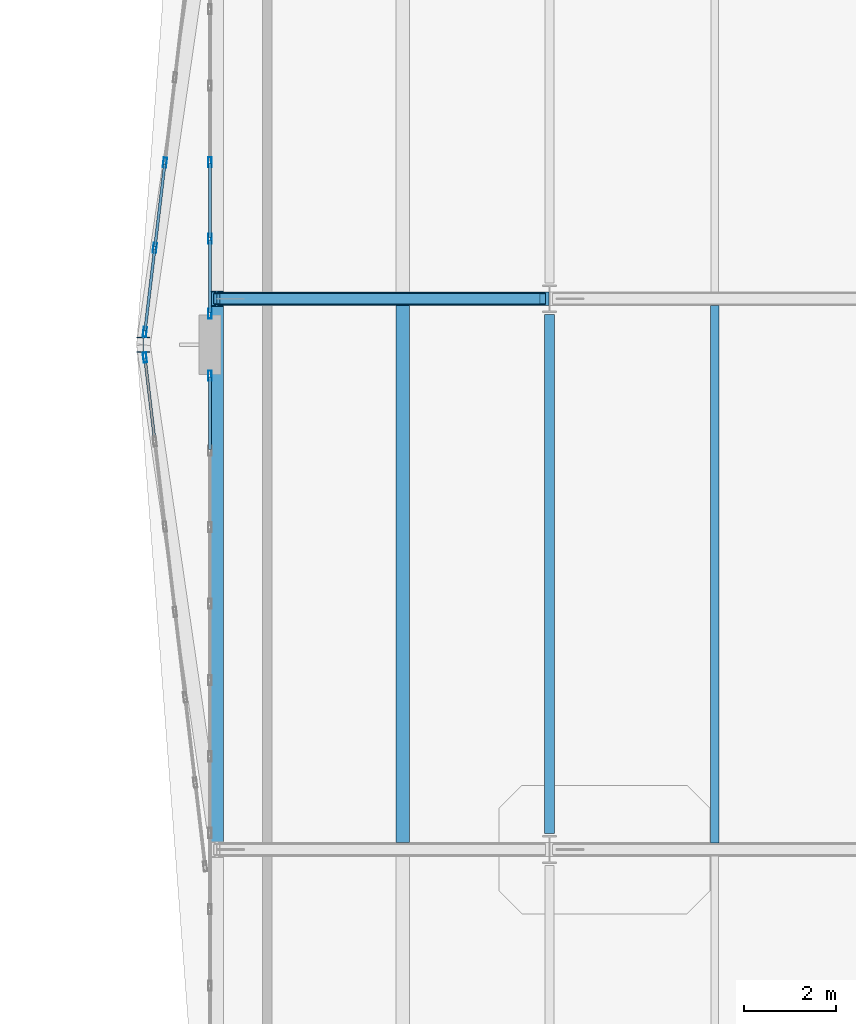
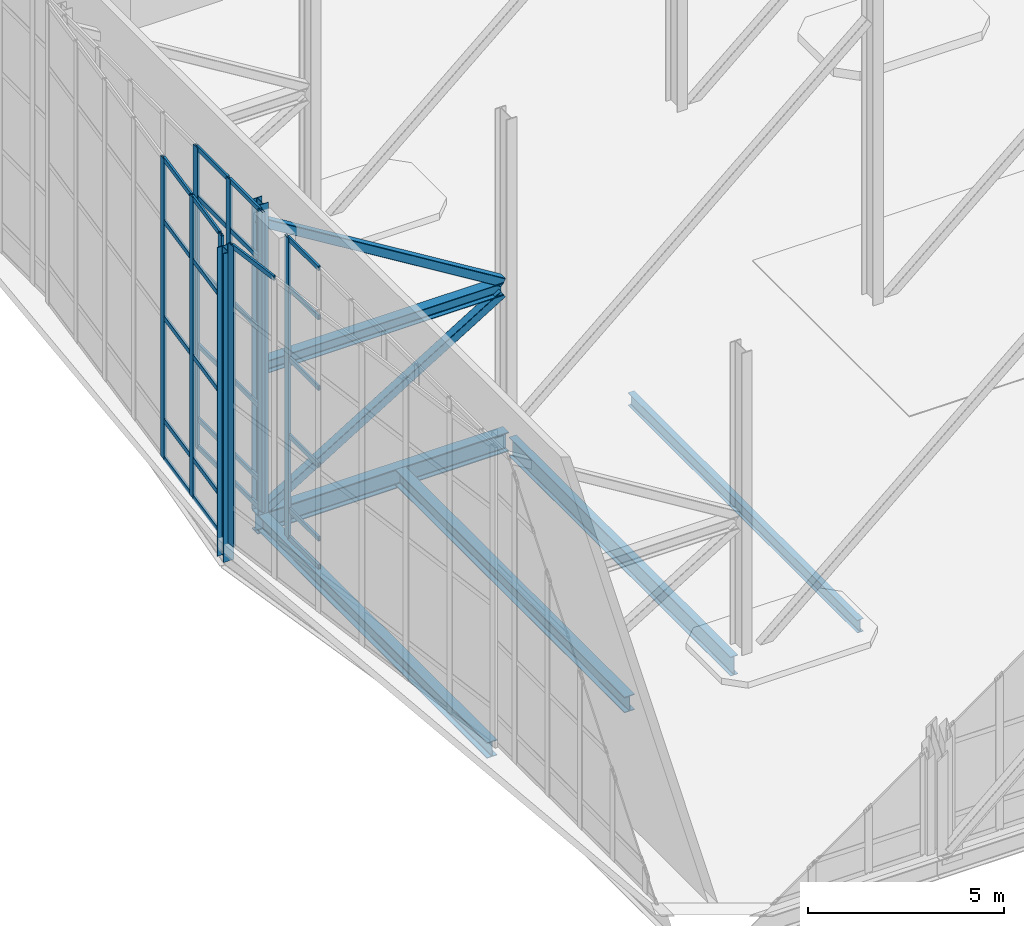
# One storey, part 22 of 100: 41 members, 6 beams, 4 elements without a shape of their own.
"""IFC4 building model written with IfcOpenShell, lengths in metres."""

from ifc_helpers import new_model, si_unit, direction, frame, origin, origin_2d, place, context, subcontext, project, spatial, hollow_rectangle, i_section, extrude, material, layer, layer_set, material_profile, profile_set, type_object, element, aggregate, save


model = new_model("IFC4")

# Units and contexts
model_context = context("Model", 3, precision=1e-05, world=origin(), true_north=direction((0.0, 1.0)))
body_context = subcontext(model_context, "Body", "Model", "MODEL_VIEW")
ifc_project = project(units=[si_unit("LENGTHUNIT", "METRE"), si_unit("AREAUNIT", "SQUARE_METRE"), si_unit("VOLUMEUNIT", "CUBIC_METRE"), si_unit("PLANEANGLEUNIT", "RADIAN"), si_unit("MASSUNIT", "GRAM", prefix="KILO")], contexts=[model_context])

# Site, building, storey
site_placement = place(None, origin())
site = spatial("IfcSite", under=ifc_project, at=site_placement, CompositionType="ELEMENT")
building_placement = place(site_placement, origin())
building = spatial("IfcBuilding", under=site, at=building_placement, Name="Tasgan Crest Museum", CompositionType="ELEMENT")
storey_placement = place(building_placement, frame((0.0, 0.0, 14.39990234375)))
storey = spatial("IfcBuildingStorey", under=building, at=storey_placement, Name="L03", CompositionType="ELEMENT", Elevation=14.39990234375)

# Beams
ifc_material_1 = material(Name="Steel S355K2", Category="steel")
ifc_material_profile_1 = material_profile(ifc_material_1, i_section(OverallWidth=0.300048828125, OverallDepth=0.60009765625, WebThickness=0.015380859375, FlangeThickness=0.030029296875, FilletRadius=0.027099609375, at=origin_2d()), Name="HEB 600")
ifc_profile_set_1 = profile_set([ifc_material_profile_1], Name="Steel S355K2")
beam_type_1 = type_object("IfcBeamType", Name="BM-CANT-G1", PredefinedType="BEAM", material=ifc_profile_set_1)
beam_1_placement = place(storey_placement, frame((3.39990234375, 62.0, -0.559814453125), z_axis=(1.0, 0.0, 0.0), x_axis=(0.0, 1.0, 0.0)))
element("IfcBeam", 1, at=beam_1_placement, inside=storey, type_object=beam_type_1, Name="Cantilever transfer girder MID G", PredefinedType="BEAM", context=body_context, shape_type="SweptSolid", body=[
    extrude(i_section(OverallWidth=0.300048828125, OverallDepth=0.60009765625, WebThickness=0.015380859375, FlangeThickness=0.030029296875, FilletRadius=0.027099609375, at=origin_2d()), origin(), (0.0, 0.0, 1.0), 7.3935546875),
])
ifc_material_2 = material(Name="Steel S355J2", Category="steel")
ifc_material_profile_2 = material_profile(ifc_material_2, i_section(OverallWidth=0.300048828125, OverallDepth=0.389892578125, WebThickness=0.010986328125, FlangeThickness=0.01904296875, FilletRadius=0.027099609375, at=origin_2d()), Name="HEA 400")
ifc_profile_set_2 = profile_set([ifc_material_profile_2], Name="Steel S355J2")
beam_type_2 = type_object("IfcBeamType", Name="BM-G-HEA400", PredefinedType="BEAM", material=ifc_profile_set_2)
beam_2_placement = place(storey_placement, frame((3.550048828125, 62.0, 4.25), z_axis=(1.0, 0.0, 0.0), x_axis=(0.0, 1.0, 0.0)))
element("IfcBeam", 2, at=beam_2_placement, inside=storey, type_object=beam_type_2, Name="Cantilever mid-height chord G", PredefinedType="BEAM", context=body_context, shape_type="SweptSolid", body=[
    extrude(i_section(OverallWidth=0.300048828125, OverallDepth=0.389892578125, WebThickness=0.010986328125, FlangeThickness=0.01904296875, FilletRadius=0.027099609375, at=origin_2d()), origin(), (0.0, 0.0, 1.0), 7.099853515625),
])
ifc_material_3 = material(Name="Steel S355J2", Category="steel")
ifc_material_profile_3 = material_profile(ifc_material_3, i_section(OverallWidth=0.300048828125, OverallDepth=0.489990234375, WebThickness=0.011962890625, FlangeThickness=0.02294921875, FilletRadius=0.027099609375, at=origin_2d()), Name="HEA 500")
ifc_profile_set_3 = profile_set([ifc_material_profile_3], Name="Steel S355J2")
beam_type_3 = type_object("IfcBeamType", Name="BM-G-HEA500", PredefinedType="BEAM", material=ifc_profile_set_3)
for number, where, z_axis, x_axis, name in (
    (3, (3.550048828125, 50.14990234375, -0.5048828125), (0.0, 1.0, 0.0), (-1.0, 0.0, 0.0), "Cantilever edge beam L03 TIP 50-62"),
    (4, (7.60009765625, 50.14990234375, -0.5048828125), (0.0, 1.0, 0.0), (-1.0, 0.0, 0.0), "Cantilever edge beam L03 MID 50-62"),
):
    element("IfcBeam", number, at=place(storey_placement, frame(where, z_axis=z_axis, x_axis=x_axis)), inside=storey, type_object=beam_type_3, Name=name, PredefinedType="BEAM", context=body_context, shape_type="SweptSolid", body=[
        extrude(i_section(OverallWidth=0.300048828125, OverallDepth=0.489990234375, WebThickness=0.011962890625, FlangeThickness=0.02294921875, FilletRadius=0.027099609375, at=origin_2d()), origin(), (0.0, 0.0, 1.0), 11.7001953125),
    ])
ifc_material_4 = material(Name="Steel S355J2", Category="steel")
ifc_material_profile_4 = material_profile(ifc_material_4, i_section(OverallWidth=0.219970703125, OverallDepth=0.60009765625, WebThickness=0.011962890625, FlangeThickness=0.01904296875, FilletRadius=0.02392578125, at=origin_2d()), Name="IPE 600")
ifc_profile_set_4 = profile_set([ifc_material_profile_4], Name="Steel S355J2")
beam_type_4 = type_object("IfcBeamType", Name="BM-G-IPE600", PredefinedType="BEAM", material=ifc_profile_set_4)
beam_3_placement = place(storey_placement, frame((10.800048828125, 50.344970703125, -0.559814453125), z_axis=(0.0, 1.0, 0.0), x_axis=(-1.0, 0.0, 0.0)))
element("IfcBeam", 5, at=beam_3_placement, inside=storey, type_object=beam_type_4, Name="Beam L03 2 50.0-62.0", PredefinedType="BEAM", context=body_context, shape_type="SweptSolid", body=[
    extrude(i_section(OverallWidth=0.219970703125, OverallDepth=0.60009765625, WebThickness=0.011962890625, FlangeThickness=0.01904296875, FilletRadius=0.02392578125, at=origin_2d()), origin(), (0.0, 0.0, 1.0), 11.31005859375),
])
ifc_material_5 = material(Name="Steel S355J2", Category="steel")
ifc_material_profile_5 = material_profile(ifc_material_5, i_section(OverallWidth=0.179931640625, OverallDepth=0.39990234375, WebThickness=0.008544921875, FlangeThickness=0.013427734375, FilletRadius=0.02099609375, at=origin_2d()), Name="IPE 400")
ifc_profile_set_5 = profile_set([ifc_material_profile_5], Name="Steel S355J2")
beam_type_5 = type_object("IfcBeamType", Name="BM-J-IPE400", PredefinedType="JOIST", material=ifc_profile_set_5)
beam_4_placement = place(storey_placement, frame((14.39990234375, 50.14501953125, -0.4599609375), z_axis=(0.0, 1.0, 0.0), x_axis=(-1.0, 0.0, 0.0)))
element("IfcBeam", 6, at=beam_4_placement, inside=storey, type_object=beam_type_5, Name="Secondary joist L03 X=14.4 Y=50.0-62.0", PredefinedType="JOIST", context=body_context, shape_type="SweptSolid", body=[
    extrude(i_section(OverallWidth=0.179931640625, OverallDepth=0.39990234375, WebThickness=0.008544921875, FlangeThickness=0.013427734375, FilletRadius=0.02099609375, at=origin_2d()), origin(), (0.0, 0.0, 1.0), 11.7099609375),
])

# Curtain wall, members
ifc_material_6 = material(Name="Triple-Glazed Aluminium Curtain Wall", Category="aluminium")
ifc_layer = layer(ifc_material_6, 0.179931640625, Name="CW-CANT-TIP-96")
ifc_layer_set = layer_set([ifc_layer], Name="Triple-Glazed Aluminium Curtain Wall")
curtain_wall_type = type_object("IfcCurtainWallType", Name="CW-CANT-TIP-96", PredefinedType="NOTDEFINED", material=ifc_layer_set)
curtain_wall_1_placement = place(storey_placement, origin())
curtain_wall_1 = element("IfcCurtainWall", 7, at=curtain_wall_1_placement, inside=storey, type_object=curtain_wall_type, Name="Curtain wall L03 138", PredefinedType="NOTDEFINED")
ifc_material_7 = material(Name="Anodised Aluminium", Category="aluminium")
ifc_material_profile_6 = material_profile(ifc_material_7, hollow_rectangle(XDim=0.074951171875, YDim=0.219970703125, WallThickness=0.006103515625, at=origin_2d()), Name="ALU MULLION 220x75x6")
ifc_profile_set_6 = profile_set([ifc_material_profile_6], Name="Anodised Aluminium")
member_type_1 = type_object("IfcMemberType", Name="CW-MULLION-220", PredefinedType="MULLION", material=ifc_profile_set_6)
member_1_placement = place(storey_placement, frame((3.39990234375, 64.9765625, 0.0), z_axis=(0.0, 0.0, 1.0), x_axis=(1.0, 0.0, 0.0)))
member_1 = element("IfcMember", 8, at=member_1_placement, type_object=member_type_1, Name="CW10 mullion 11", PredefinedType="MULLION", context=body_context, shape_type="SweptSolid", body=[
    extrude(hollow_rectangle(XDim=0.074951171875, YDim=0.219970703125, WallThickness=0.006103515625, at=origin_2d()), origin(), (0.0, 0.0, 1.0), 9.360107421875),
])
member_2_placement = place(storey_placement, frame((3.39990234375, 63.310791015625, 0.0), z_axis=(0.0, 0.0, 1.0), x_axis=(1.0, 0.0, 0.0)))
member_2 = element("IfcMember", 9, at=member_2_placement, type_object=member_type_1, Name="CW10 mullion 12", PredefinedType="MULLION", context=body_context, shape_type="SweptSolid", body=[
    extrude(hollow_rectangle(XDim=0.074951171875, YDim=0.219970703125, WallThickness=0.006103515625, at=origin_2d()), origin(), (0.0, 0.0, 1.0), 9.360107421875),
])
member_3_placement = place(storey_placement, frame((3.39990234375, 61.675048828125, 0.0), z_axis=(0.0, 0.0, 1.0), x_axis=(1.0, 0.0, 0.0)))
member_3 = element("IfcMember", 10, at=member_3_placement, type_object=member_type_1, Name="CW10 mullion 13", PredefinedType="MULLION", context=body_context, shape_type="SweptSolid", body=[
    extrude(hollow_rectangle(XDim=0.074951171875, YDim=0.219970703125, WallThickness=0.006103515625, at=origin_2d()), origin(), (0.0, 0.0, 1.0), 9.360107421875),
])

# Curtain wall, member
curtain_wall_2_placement = place(storey_placement, origin())
curtain_wall_2 = element("IfcCurtainWall", 11, at=curtain_wall_2_placement, inside=storey, type_object=curtain_wall_type, Name="Curtain wall L03 139", PredefinedType="NOTDEFINED")
member_4_placement = place(storey_placement, frame((3.39990234375, 60.324951171875, 0.0), z_axis=(0.0, 0.0, 1.0), x_axis=(1.0, 0.0, 0.0)))
member_4 = element("IfcMember", 12, at=member_4_placement, type_object=member_type_1, Name="CW10 mullion 1", PredefinedType="MULLION", context=body_context, shape_type="SweptSolid", body=[
    extrude(hollow_rectangle(XDim=0.074951171875, YDim=0.219970703125, WallThickness=0.006103515625, at=origin_2d()), origin(), (0.0, 0.0, 1.0), 9.360107421875),
])

curtain_wall_3_placement = place(storey_placement, origin())
curtain_wall_3 = element("IfcCurtainWall", 13, at=curtain_wall_3_placement, inside=storey, type_object=curtain_wall_type, Name="Cantilevered prow curtain wall L03 PROW-S", PredefinedType="NOTDEFINED")
member_5_placement = place(storey_placement, frame((1.983642578125, 60.72021484375, 0.0), z_axis=(0.0, 0.0, 1.0), x_axis=(-0.993065228329, -0.117564672774, 0.0)))
member_5 = element("IfcMember", 14, at=member_5_placement, type_object=member_type_1, Name="CW10 mullion 7", PredefinedType="MULLION", context=body_context, shape_type="SweptSolid", body=[
    extrude(hollow_rectangle(XDim=0.074951171875, YDim=0.219970703125, WallThickness=0.006103515625, at=origin_2d()), origin(), (0.0, 0.0, 1.0), 9.360107421875),
])

# Curtain wall, members
curtain_wall_4_placement = place(storey_placement, origin())
curtain_wall_4 = element("IfcCurtainWall", 15, at=curtain_wall_4_placement, inside=storey, type_object=curtain_wall_type, Name="Cantilevered prow curtain wall L03 PROW-N", PredefinedType="NOTDEFINED")
member_6_placement = place(storey_placement, frame((1.983642578125, 61.27978515625, 0.0), z_axis=(0.0, 0.0, 1.0), x_axis=(-0.993065228329, 0.117564672774, 0.0)))
member_6 = element("IfcMember", 16, at=member_6_placement, type_object=member_type_1, Name="CW10 mullion 1", PredefinedType="MULLION", context=body_context, shape_type="SweptSolid", body=[
    extrude(hollow_rectangle(XDim=0.074951171875, YDim=0.219970703125, WallThickness=0.006103515625, at=origin_2d()), origin(), (0.0, 0.0, 1.0), 9.360107421875),
])
member_7_placement = place(storey_placement, frame((2.199951171875, 63.1083984375, 0.0), z_axis=(0.0, 0.0, 1.0), x_axis=(-0.993065228329, 0.117564672774, 0.0)))
member_7 = element("IfcMember", 17, at=member_7_placement, type_object=member_type_1, Name="CW10 mullion 2", PredefinedType="MULLION", context=body_context, shape_type="SweptSolid", body=[
    extrude(hollow_rectangle(XDim=0.074951171875, YDim=0.219970703125, WallThickness=0.006103515625, at=origin_2d()), origin(), (0.0, 0.0, 1.0), 9.360107421875),
])
member_8_placement = place(storey_placement, frame((2.419921875, 64.966552734375, 0.0), z_axis=(0.0, 0.0, 1.0), x_axis=(-0.993065228329, 0.117564672774, 0.0)))
member_8 = element("IfcMember", 18, at=member_8_placement, type_object=member_type_1, Name="CW10 mullion 3", PredefinedType="MULLION", context=body_context, shape_type="SweptSolid", body=[
    extrude(hollow_rectangle(XDim=0.074951171875, YDim=0.219970703125, WallThickness=0.006103515625, at=origin_2d()), origin(), (0.0, 0.0, 1.0), 9.360107421875),
])

# Member
ifc_material_8 = material(Name="Anodised Aluminium", Category="aluminium")
ifc_material_profile_7 = material_profile(ifc_material_8, hollow_rectangle(XDim=0.06005859375, YDim=0.14990234375, WallThickness=0.0048828125, at=origin_2d()), Name="ALU TRANSOM 150x60x5")
ifc_profile_set_7 = profile_set([ifc_material_profile_7], Name="Anodised Aluminium")
member_type_2 = type_object("IfcMemberType", Name="CW-TRANSOM-150", PredefinedType="USERDEFINED", material=ifc_profile_set_7)
member_9_placement = place(storey_placement, frame((3.39990234375, 64.94677734375, 0.030029296875), z_axis=(0.0, -1.0, 0.0), x_axis=(1.0, 0.0, 0.0)))
member_9 = element("IfcMember", 19, at=member_9_placement, type_object=member_type_2, Name="CW10 transom 11.1", ObjectType="TRANSOM", PredefinedType="USERDEFINED", context=body_context, shape_type="SweptSolid", body=[
    extrude(hollow_rectangle(XDim=0.06005859375, YDim=0.14990234375, WallThickness=0.0048828125, at=origin_2d()), origin(), (0.0, 0.0, 1.0), 1.60595703125),
])

member_10_placement = place(storey_placement, frame((3.39990234375, 64.94677734375, 0.900146484375), z_axis=(0.0, -1.0, 0.0), x_axis=(1.0, 0.0, 0.0)))
member_10 = element("IfcMember", 20, at=member_10_placement, type_object=member_type_2, Name="CW10 transom 11.2", ObjectType="TRANSOM", PredefinedType="USERDEFINED", context=body_context, shape_type="SweptSolid", body=[
    extrude(hollow_rectangle(XDim=0.06005859375, YDim=0.14990234375, WallThickness=0.0048828125, at=origin_2d()), origin(), (0.0, 0.0, 1.0), 1.60595703125),
])

member_11_placement = place(storey_placement, frame((3.39990234375, 64.94677734375, 3.2001953125), z_axis=(0.0, -1.0, 0.0), x_axis=(1.0, 0.0, 0.0)))
member_11 = element("IfcMember", 21, at=member_11_placement, type_object=member_type_2, Name="CW10 transom 11.3", ObjectType="TRANSOM", PredefinedType="USERDEFINED", context=body_context, shape_type="SweptSolid", body=[
    extrude(hollow_rectangle(XDim=0.06005859375, YDim=0.14990234375, WallThickness=0.0048828125, at=origin_2d()), origin(), (0.0, 0.0, 1.0), 1.60595703125),
])

member_12_placement = place(storey_placement, frame((3.39990234375, 64.94677734375, 5.60009765625), z_axis=(0.0, -1.0, 0.0), x_axis=(1.0, 0.0, 0.0)))
member_12 = element("IfcMember", 22, at=member_12_placement, type_object=member_type_2, Name="CW10 transom 11.4", ObjectType="TRANSOM", PredefinedType="USERDEFINED", context=body_context, shape_type="SweptSolid", body=[
    extrude(hollow_rectangle(XDim=0.06005859375, YDim=0.14990234375, WallThickness=0.0048828125, at=origin_2d()), origin(), (0.0, 0.0, 1.0), 1.60595703125),
])

member_13_placement = place(storey_placement, frame((3.39990234375, 64.94677734375, 7.800048828125), z_axis=(0.0, -1.0, 0.0), x_axis=(1.0, 0.0, 0.0)))
member_13 = element("IfcMember", 23, at=member_13_placement, type_object=member_type_2, Name="CW10 transom 11.5", ObjectType="TRANSOM", PredefinedType="USERDEFINED", context=body_context, shape_type="SweptSolid", body=[
    extrude(hollow_rectangle(XDim=0.06005859375, YDim=0.14990234375, WallThickness=0.0048828125, at=origin_2d()), origin(), (0.0, 0.0, 1.0), 1.60595703125),
])

member_14_placement = place(storey_placement, frame((3.39990234375, 64.94677734375, 9.330078125), z_axis=(0.0, -1.0, 0.0), x_axis=(1.0, 0.0, 0.0)))
member_14 = element("IfcMember", 24, at=member_14_placement, type_object=member_type_2, Name="CW10 transom 11.6", ObjectType="TRANSOM", PredefinedType="USERDEFINED", context=body_context, shape_type="SweptSolid", body=[
    extrude(hollow_rectangle(XDim=0.06005859375, YDim=0.14990234375, WallThickness=0.0048828125, at=origin_2d()), origin(), (0.0, 0.0, 1.0), 1.60595703125),
])

member_15_placement = place(storey_placement, frame((3.39990234375, 63.28076171875, 0.030029296875), z_axis=(0.0, -1.0, 0.0), x_axis=(1.0, 0.0, 0.0)))
member_15 = element("IfcMember", 25, at=member_15_placement, type_object=member_type_2, Name="CW10 transom 12.1", ObjectType="TRANSOM", PredefinedType="USERDEFINED", context=body_context, shape_type="SweptSolid", body=[
    extrude(hollow_rectangle(XDim=0.06005859375, YDim=0.14990234375, WallThickness=0.0048828125, at=origin_2d()), origin(), (0.0, 0.0, 1.0), 1.57568359375),
])

member_16_placement = place(storey_placement, frame((3.39990234375, 63.28076171875, 0.900146484375), z_axis=(0.0, -1.0, 0.0), x_axis=(1.0, 0.0, 0.0)))
member_16 = element("IfcMember", 26, at=member_16_placement, type_object=member_type_2, Name="CW10 transom 12.2", ObjectType="TRANSOM", PredefinedType="USERDEFINED", context=body_context, shape_type="SweptSolid", body=[
    extrude(hollow_rectangle(XDim=0.06005859375, YDim=0.14990234375, WallThickness=0.0048828125, at=origin_2d()), origin(), (0.0, 0.0, 1.0), 1.57568359375),
])

member_17_placement = place(storey_placement, frame((3.39990234375, 63.28076171875, 3.2001953125), z_axis=(0.0, -1.0, 0.0), x_axis=(1.0, 0.0, 0.0)))
member_17 = element("IfcMember", 27, at=member_17_placement, type_object=member_type_2, Name="CW10 transom 12.3", ObjectType="TRANSOM", PredefinedType="USERDEFINED", context=body_context, shape_type="SweptSolid", body=[
    extrude(hollow_rectangle(XDim=0.06005859375, YDim=0.14990234375, WallThickness=0.0048828125, at=origin_2d()), origin(), (0.0, 0.0, 1.0), 1.57568359375),
])

member_18_placement = place(storey_placement, frame((3.39990234375, 63.28076171875, 5.60009765625), z_axis=(0.0, -1.0, 0.0), x_axis=(1.0, 0.0, 0.0)))
member_18 = element("IfcMember", 28, at=member_18_placement, type_object=member_type_2, Name="CW10 transom 12.4", ObjectType="TRANSOM", PredefinedType="USERDEFINED", context=body_context, shape_type="SweptSolid", body=[
    extrude(hollow_rectangle(XDim=0.06005859375, YDim=0.14990234375, WallThickness=0.0048828125, at=origin_2d()), origin(), (0.0, 0.0, 1.0), 1.57568359375),
])

member_19_placement = place(storey_placement, frame((3.39990234375, 63.28076171875, 7.800048828125), z_axis=(0.0, -1.0, 0.0), x_axis=(1.0, 0.0, 0.0)))
member_19 = element("IfcMember", 29, at=member_19_placement, type_object=member_type_2, Name="CW10 transom 12.5", ObjectType="TRANSOM", PredefinedType="USERDEFINED", context=body_context, shape_type="SweptSolid", body=[
    extrude(hollow_rectangle(XDim=0.06005859375, YDim=0.14990234375, WallThickness=0.0048828125, at=origin_2d()), origin(), (0.0, 0.0, 1.0), 1.57568359375),
])

member_20_placement = place(storey_placement, frame((3.39990234375, 63.28076171875, 9.330078125), z_axis=(0.0, -1.0, 0.0), x_axis=(1.0, 0.0, 0.0)))
member_20 = element("IfcMember", 30, at=member_20_placement, type_object=member_type_2, Name="CW10 transom 12.6", ObjectType="TRANSOM", PredefinedType="USERDEFINED", context=body_context, shape_type="SweptSolid", body=[
    extrude(hollow_rectangle(XDim=0.06005859375, YDim=0.14990234375, WallThickness=0.0048828125, at=origin_2d()), origin(), (0.0, 0.0, 1.0), 1.57568359375),
])

aggregate(curtain_wall_1, [member_1, member_2, member_3, member_9, member_10, member_11, member_12, member_13, member_14, member_15, member_16, member_17, member_18, member_19, member_20])

member_21_placement = place(storey_placement, frame((3.39990234375, 60.294921875, 0.030029296875), z_axis=(0.0, -1.0, 0.0), x_axis=(1.0, 0.0, 0.0)))
member_21 = element("IfcMember", 31, at=member_21_placement, type_object=member_type_2, Name="CW10 transom 1.1", ObjectType="TRANSOM", PredefinedType="USERDEFINED", context=body_context, shape_type="SweptSolid", body=[
    extrude(hollow_rectangle(XDim=0.06005859375, YDim=0.14990234375, WallThickness=0.0048828125, at=origin_2d()), origin(), (0.0, 0.0, 1.0), 1.57568359375),
])

member_22_placement = place(storey_placement, frame((3.39990234375, 60.294921875, 0.900146484375), z_axis=(0.0, -1.0, 0.0), x_axis=(1.0, 0.0, 0.0)))
member_22 = element("IfcMember", 32, at=member_22_placement, type_object=member_type_2, Name="CW10 transom 1.2", ObjectType="TRANSOM", PredefinedType="USERDEFINED", context=body_context, shape_type="SweptSolid", body=[
    extrude(hollow_rectangle(XDim=0.06005859375, YDim=0.14990234375, WallThickness=0.0048828125, at=origin_2d()), origin(), (0.0, 0.0, 1.0), 1.57568359375),
])

member_23_placement = place(storey_placement, frame((3.39990234375, 60.294921875, 3.2001953125), z_axis=(0.0, -1.0, 0.0), x_axis=(1.0, 0.0, 0.0)))
member_23 = element("IfcMember", 33, at=member_23_placement, type_object=member_type_2, Name="CW10 transom 1.3", ObjectType="TRANSOM", PredefinedType="USERDEFINED", context=body_context, shape_type="SweptSolid", body=[
    extrude(hollow_rectangle(XDim=0.06005859375, YDim=0.14990234375, WallThickness=0.0048828125, at=origin_2d()), origin(), (0.0, 0.0, 1.0), 1.57568359375),
])

member_24_placement = place(storey_placement, frame((3.39990234375, 60.294921875, 5.60009765625), z_axis=(0.0, -1.0, 0.0), x_axis=(1.0, 0.0, 0.0)))
member_24 = element("IfcMember", 34, at=member_24_placement, type_object=member_type_2, Name="CW10 transom 1.4", ObjectType="TRANSOM", PredefinedType="USERDEFINED", context=body_context, shape_type="SweptSolid", body=[
    extrude(hollow_rectangle(XDim=0.06005859375, YDim=0.14990234375, WallThickness=0.0048828125, at=origin_2d()), origin(), (0.0, 0.0, 1.0), 1.57568359375),
])

member_25_placement = place(storey_placement, frame((3.39990234375, 60.294921875, 7.800048828125), z_axis=(0.0, -1.0, 0.0), x_axis=(1.0, 0.0, 0.0)))
member_25 = element("IfcMember", 35, at=member_25_placement, type_object=member_type_2, Name="CW10 transom 1.5", ObjectType="TRANSOM", PredefinedType="USERDEFINED", context=body_context, shape_type="SweptSolid", body=[
    extrude(hollow_rectangle(XDim=0.06005859375, YDim=0.14990234375, WallThickness=0.0048828125, at=origin_2d()), origin(), (0.0, 0.0, 1.0), 1.57568359375),
])

member_26_placement = place(storey_placement, frame((3.39990234375, 60.294921875, 9.330078125), z_axis=(0.0, -1.0, 0.0), x_axis=(1.0, 0.0, 0.0)))
member_26 = element("IfcMember", 36, at=member_26_placement, type_object=member_type_2, Name="CW10 transom 1.6", ObjectType="TRANSOM", PredefinedType="USERDEFINED", context=body_context, shape_type="SweptSolid", body=[
    extrude(hollow_rectangle(XDim=0.06005859375, YDim=0.14990234375, WallThickness=0.0048828125, at=origin_2d()), origin(), (0.0, 0.0, 1.0), 1.57568359375),
])

aggregate(curtain_wall_2, [member_4, member_21, member_22, member_23, member_24, member_25, member_26])

member_27_placement = place(storey_placement, frame((2.196533203125, 58.92138671875, 9.330078125), z_axis=(-0.117588673446, 0.993062386699, 0.0), x_axis=(-0.993062386699, -0.117588673446, 0.0)))
member_27 = element("IfcMember", 37, at=member_27_placement, type_object=member_type_2, Name="CW10 transom 6.5", ObjectType="TRANSOM", PredefinedType="USERDEFINED", context=body_context, shape_type="SweptSolid", body=[
    extrude(hollow_rectangle(XDim=0.06005859375, YDim=0.14990234375, WallThickness=0.0048828125, at=origin_2d()), origin(), (0.0, 0.0, 1.0), 1.781494140625),
])

aggregate(curtain_wall_3, [member_5, member_27])

member_28_placement = place(storey_placement, frame((1.987060546875, 61.3095703125, 0.030029296875), z_axis=(0.117588673446, 0.993062386699, 0.0), x_axis=(-0.993062386699, 0.117588673446, 0.0)))
member_28 = element("IfcMember", 38, at=member_28_placement, type_object=member_type_2, Name="CW10 transom 1.1", ObjectType="TRANSOM", PredefinedType="USERDEFINED", context=body_context, shape_type="SweptSolid", body=[
    extrude(hollow_rectangle(XDim=0.06005859375, YDim=0.14990234375, WallThickness=0.0048828125, at=origin_2d()), origin(), (0.0, 0.0, 1.0), 1.781494140625),
])

member_29_placement = place(storey_placement, frame((1.987060546875, 61.3095703125, 1.2001953125), z_axis=(0.117588673446, 0.993062386699, 0.0), x_axis=(-0.993062386699, 0.117588673446, 0.0)))
member_29 = element("IfcMember", 39, at=member_29_placement, type_object=member_type_2, Name="CW10 transom 1.2", ObjectType="TRANSOM", PredefinedType="USERDEFINED", context=body_context, shape_type="SweptSolid", body=[
    extrude(hollow_rectangle(XDim=0.06005859375, YDim=0.14990234375, WallThickness=0.0048828125, at=origin_2d()), origin(), (0.0, 0.0, 1.0), 1.781494140625),
])

member_30_placement = place(storey_placement, frame((1.987060546875, 61.3095703125, 4.400146484375), z_axis=(0.117588673446, 0.993062386699, 0.0), x_axis=(-0.993062386699, 0.117588673446, 0.0)))
member_30 = element("IfcMember", 40, at=member_30_placement, type_object=member_type_2, Name="CW10 transom 1.3", ObjectType="TRANSOM", PredefinedType="USERDEFINED", context=body_context, shape_type="SweptSolid", body=[
    extrude(hollow_rectangle(XDim=0.06005859375, YDim=0.14990234375, WallThickness=0.0048828125, at=origin_2d()), origin(), (0.0, 0.0, 1.0), 1.781494140625),
])

member_31_placement = place(storey_placement, frame((1.987060546875, 61.3095703125, 7.400146484375), z_axis=(0.117588673446, 0.993062386699, 0.0), x_axis=(-0.993062386699, 0.117588673446, 0.0)))
member_31 = element("IfcMember", 41, at=member_31_placement, type_object=member_type_2, Name="CW10 transom 1.4", ObjectType="TRANSOM", PredefinedType="USERDEFINED", context=body_context, shape_type="SweptSolid", body=[
    extrude(hollow_rectangle(XDim=0.06005859375, YDim=0.14990234375, WallThickness=0.0048828125, at=origin_2d()), origin(), (0.0, 0.0, 1.0), 1.781494140625),
])

member_32_placement = place(storey_placement, frame((1.987060546875, 61.3095703125, 9.330078125), z_axis=(0.117588673446, 0.993062386699, 0.0), x_axis=(-0.993062386699, 0.117588673446, 0.0)))
member_32 = element("IfcMember", 42, at=member_32_placement, type_object=member_type_2, Name="CW10 transom 1.5", ObjectType="TRANSOM", PredefinedType="USERDEFINED", context=body_context, shape_type="SweptSolid", body=[
    extrude(hollow_rectangle(XDim=0.06005859375, YDim=0.14990234375, WallThickness=0.0048828125, at=origin_2d()), origin(), (0.0, 0.0, 1.0), 1.781494140625),
])

member_33_placement = place(storey_placement, frame((2.20361328125, 63.13818359375, 0.030029296875), z_axis=(0.117545119782, 0.993067542927, 0.0), x_axis=(-0.993067542927, 0.117545119782, 0.0)))
member_33 = element("IfcMember", 43, at=member_33_placement, type_object=member_type_2, Name="CW10 transom 2.1", ObjectType="TRANSOM", PredefinedType="USERDEFINED", context=body_context, shape_type="SweptSolid", body=[
    extrude(hollow_rectangle(XDim=0.06005859375, YDim=0.14990234375, WallThickness=0.0048828125, at=origin_2d()), origin(), (0.0, 0.0, 1.0), 1.81103515625),
])

member_34_placement = place(storey_placement, frame((2.20361328125, 63.13818359375, 1.2001953125), z_axis=(0.117545119782, 0.993067542927, 0.0), x_axis=(-0.993067542927, 0.117545119782, 0.0)))
member_34 = element("IfcMember", 44, at=member_34_placement, type_object=member_type_2, Name="CW10 transom 2.2", ObjectType="TRANSOM", PredefinedType="USERDEFINED", context=body_context, shape_type="SweptSolid", body=[
    extrude(hollow_rectangle(XDim=0.06005859375, YDim=0.14990234375, WallThickness=0.0048828125, at=origin_2d()), origin(), (0.0, 0.0, 1.0), 1.81103515625),
])

member_35_placement = place(storey_placement, frame((2.20361328125, 63.13818359375, 4.400146484375), z_axis=(0.117545119782, 0.993067542927, 0.0), x_axis=(-0.993067542927, 0.117545119782, 0.0)))
member_35 = element("IfcMember", 45, at=member_35_placement, type_object=member_type_2, Name="CW10 transom 2.3", ObjectType="TRANSOM", PredefinedType="USERDEFINED", context=body_context, shape_type="SweptSolid", body=[
    extrude(hollow_rectangle(XDim=0.06005859375, YDim=0.14990234375, WallThickness=0.0048828125, at=origin_2d()), origin(), (0.0, 0.0, 1.0), 1.81103515625),
])

member_36_placement = place(storey_placement, frame((2.20361328125, 63.13818359375, 7.400146484375), z_axis=(0.117545119782, 0.993067542927, 0.0), x_axis=(-0.993067542927, 0.117545119782, 0.0)))
member_36 = element("IfcMember", 46, at=member_36_placement, type_object=member_type_2, Name="CW10 transom 2.4", ObjectType="TRANSOM", PredefinedType="USERDEFINED", context=body_context, shape_type="SweptSolid", body=[
    extrude(hollow_rectangle(XDim=0.06005859375, YDim=0.14990234375, WallThickness=0.0048828125, at=origin_2d()), origin(), (0.0, 0.0, 1.0), 1.81103515625),
])

member_37_placement = place(storey_placement, frame((2.20361328125, 63.13818359375, 9.330078125), z_axis=(0.117545119782, 0.993067542927, 0.0), x_axis=(-0.993067542927, 0.117545119782, 0.0)))
member_37 = element("IfcMember", 47, at=member_37_placement, type_object=member_type_2, Name="CW10 transom 2.5", ObjectType="TRANSOM", PredefinedType="USERDEFINED", context=body_context, shape_type="SweptSolid", body=[
    extrude(hollow_rectangle(XDim=0.06005859375, YDim=0.14990234375, WallThickness=0.0048828125, at=origin_2d()), origin(), (0.0, 0.0, 1.0), 1.81103515625),
])

aggregate(curtain_wall_4, [member_6, member_7, member_8, member_28, member_29, member_30, member_31, member_32, member_33, member_34, member_35, member_36, member_37])

# Members
ifc_material_9 = material(Name="Steel S355K2", Category="steel")
ifc_material_profile_8 = material_profile(ifc_material_9, hollow_rectangle(XDim=0.260009765625, YDim=0.260009765625, WallThickness=0.01416015625, InnerFilletRadius=0.01416015625, OuterFilletRadius=0.0283203125, at=origin_2d()), Name="SHS 260x260x14.2")
ifc_profile_set_8 = profile_set([ifc_material_profile_8], Name="Steel S355K2")
member_type_3 = type_object("IfcMemberType", Name="TR-CANT-DIAG", PredefinedType="BRACE", material=ifc_profile_set_8)
for number, where, z_axis, x_axis, name in (
    (48, (3.550048828125, 62.0, -0.27978515625), (0.852690578755, 0.0, 0.52241628698), (0.0, 1.0, 0.0), "Transfer truss diagonal L03 lower G"),
    (49, (10.64990234375, 62.0, 4.43017578125), (-0.852690578755, 0.0, 0.52241628698), (0.0, -1.0, 0.0), "Transfer truss diagonal L03 upper G"),
):
    element("IfcMember", number, at=place(storey_placement, frame(where, z_axis=z_axis, x_axis=x_axis)), inside=storey, type_object=member_type_3, Name=name, PredefinedType="BRACE", context=body_context, shape_type="SweptSolid", body=[
        extrude(hollow_rectangle(XDim=0.260009765625, YDim=0.260009765625, WallThickness=0.01416015625, InnerFilletRadius=0.01416015625, OuterFilletRadius=0.0283203125, at=origin_2d()), origin(), (0.0, 0.0, 1.0), 8.326416015625),
    ])
ifc_material_10 = material(Name="Steel S355K2", Category="steel")
ifc_material_profile_9 = material_profile(ifc_material_10, i_section(OverallWidth=0.300048828125, OverallDepth=0.340087890625, WebThickness=0.011962890625, FlangeThickness=0.021484375, FilletRadius=0.027099609375, at=origin_2d()), Name="HEB 340")
ifc_profile_set_9 = profile_set([ifc_material_profile_9], Name="Steel S355K2")
member_type_4 = type_object("IfcMemberType", Name="TR-CANT-POST", PredefinedType="POST", material=ifc_profile_set_9)
member_38_placement = place(storey_placement, frame((3.550048828125, 62.0, -0.260009765625), z_axis=(0.0, 0.0, 1.0), x_axis=(1.0, 0.0, 0.0)))
element("IfcMember", 50, at=member_38_placement, inside=storey, type_object=member_type_4, Name="Cantilever truss tip post L03 G", PredefinedType="POST", context=body_context, shape_type="SweptSolid", body=[
    extrude(i_section(OverallWidth=0.300048828125, OverallDepth=0.340087890625, WebThickness=0.011962890625, FlangeThickness=0.021484375, FilletRadius=0.027099609375, at=origin_2d()), origin(), (0.0, 0.0, 1.0), 9.66015625),
])
member_39_placement = place(storey_placement, frame((1.949951171875, 61.0, -0.559814453125), z_axis=(0.0, 0.0, 1.0), x_axis=(1.0, 0.0, 0.0)))
element("IfcMember", 51, at=member_39_placement, inside=storey, type_object=member_type_4, Name="Cantilever prow tip post L03", PredefinedType="POST", context=body_context, shape_type="SweptSolid", body=[
    extrude(i_section(OverallWidth=0.300048828125, OverallDepth=0.340087890625, WebThickness=0.011962890625, FlangeThickness=0.021484375, FilletRadius=0.027099609375, at=origin_2d()), origin(), (0.0, 0.0, 1.0), 9.619873046875),
])

save(model, "model.ifc")
